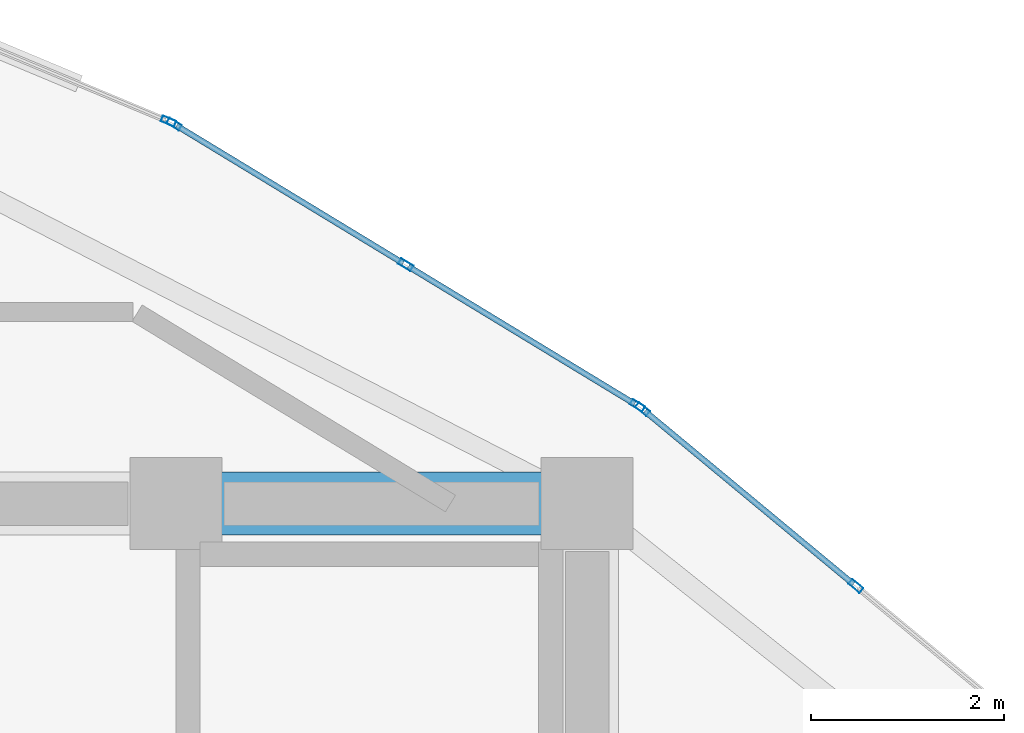
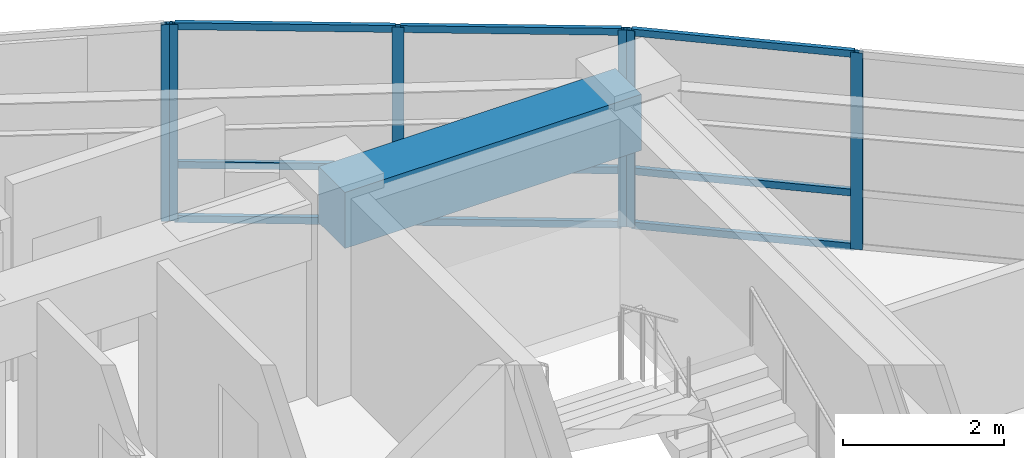
# One storey, part 10 of 14: 15 members, 1 beam, 3 elements without a shape of their own.
"""IFC4 building model written with IfcOpenShell, lengths in metres."""

from ifc_helpers import new_model, si_unit, direction, frame, origin, origin_2d, place, context, subcontext, project, spatial, rectangle, hollow_rectangle, extrude, material, layer, layer_set, material_profile, profile_set, type_object, element, aggregate, save


model = new_model("IFC4")

# Units and contexts
model_context = context("Model", 3, precision=1e-05, world=origin(), true_north=direction((0.0, 1.0)))
body_context = subcontext(model_context, "Body", "Model", "MODEL_VIEW")
ifc_project = project(units=[si_unit("LENGTHUNIT", "METRE"), si_unit("AREAUNIT", "SQUARE_METRE"), si_unit("VOLUMEUNIT", "CUBIC_METRE"), si_unit("PLANEANGLEUNIT", "RADIAN"), si_unit("MASSUNIT", "GRAM", prefix="KILO")], contexts=[model_context])

# Site, building, storey
site_placement = place(None, origin())
site = spatial("IfcSite", under=ifc_project, at=site_placement, CompositionType="ELEMENT")
building_placement = place(site_placement, origin())
building = spatial("IfcBuilding", under=site, at=building_placement, Name="Menara Vayukalpa", CompositionType="ELEMENT")
storey_placement = place(building_placement, frame((0.0, 0.0, 305.6201171875)))
storey = spatial("IfcBuildingStorey", under=building, at=storey_placement, Name="L78", CompositionType="ELEMENT", Elevation=305.6201171875)

# Beam
ifc_material_1 = material(Name="Concrete C60/75", Category="concrete")
ifc_material_profile_1 = material_profile(ifc_material_1, rectangle(XDim=0.64990234375, YDim=0.85009765625, at=origin_2d()), Name="RC 650x850")
ifc_profile_set_1 = profile_set([ifc_material_profile_1], Name="Concrete C60/75")
beam_type = type_object("IfcBeamType", Name="BM-CB1", PredefinedType="BEAM", material=ifc_profile_set_1)
beam_placement = place(storey_placement, frame((29.14990234375, 26.800048828125, 2.554931640625), z_axis=(1.0, 0.0, 0.0), x_axis=(0.0, 1.0, 0.0)))
element("IfcBeam", 1, at=beam_placement, inside=storey, type_object=beam_type, Name="L78 Core Tie Beam CBR6", PredefinedType="BEAM", context=body_context, shape_type="SweptSolid", body=[
    extrude(rectangle(XDim=0.64990234375, YDim=0.85009765625, at=origin_2d()), origin(), (0.0, 0.0, 1.0), 4.25),
])

# Curtain wall, members
ifc_material_2 = material(Name="Anodised Terracotta Aluminium Alloy 6063-T6", Category="masonry")
ifc_layer = layer(ifc_material_2, 0.14990234375)
ifc_layer_set = layer_set([ifc_layer], Name="Anodised Terracotta Aluminium Alloy 6063-T6")
curtain_wall_type = type_object("IfcCurtainWallType", Name="CW-CW7", PredefinedType="USERDEFINED", material=ifc_layer_set)
curtain_wall_1_placement = place(storey_placement, origin())
curtain_wall_1 = element("IfcCurtainWall", 2, at=curtain_wall_1_placement, inside=storey, type_object=curtain_wall_type, Name="L78 Crown Drum Screened Curtain Wall CW7 03", ObjectType="UNITISED", PredefinedType="USERDEFINED")
ifc_material_3 = material(Name="Anodised Terracotta Aluminium Alloy 6063-T6", Category="masonry")
ifc_material_profile_2 = material_profile(ifc_material_3, hollow_rectangle(XDim=0.06494140625, YDim=0.14990234375, WallThickness=0.00341796875, at=origin_2d()), Name="ALU 65x150x3.5")
ifc_profile_set_2 = profile_set([ifc_material_profile_2], Name="Anodised Terracotta Aluminium Alloy 6063-T6")
member_type_1 = type_object("IfcMemberType", Name="CWM-CW7", PredefinedType="MULLION", material=ifc_profile_set_2)
member_1_placement = place(storey_placement, frame((36.1796875, 25.946533203125, 0.0), z_axis=(0.0, 0.0, 1.0), x_axis=(-0.63834658997, -0.7697490702, 0.0)))
member_1 = element("IfcMember", 3, at=member_1_placement, type_object=member_type_1, Name="CW7 mullion 2", PredefinedType="MULLION", context=body_context, shape_type="SweptSolid", body=[
    extrude(hollow_rectangle(XDim=0.06494140625, YDim=0.14990234375, WallThickness=0.00341796875, at=origin_2d()), origin(), (0.0, 0.0, 1.0), 2.97998046875),
])
member_2_placement = place(storey_placement, frame((33.9736328125, 27.776123046875, 0.0), z_axis=(0.0, 0.0, 1.0), x_axis=(-0.63834658997, -0.7697490702, 0.0)))
member_2 = element("IfcMember", 4, at=member_2_placement, type_object=member_type_1, Name="CW7 mullion 3", PredefinedType="MULLION", context=body_context, shape_type="SweptSolid", body=[
    extrude(hollow_rectangle(XDim=0.06494140625, YDim=0.14990234375, WallThickness=0.00341796875, at=origin_2d()), origin(), (0.0, 0.0, 1.0), 2.97998046875),
])

curtain_wall_2_placement = place(storey_placement, origin())
curtain_wall_2 = element("IfcCurtainWall", 5, at=curtain_wall_2_placement, inside=storey, type_object=curtain_wall_type, Name="L78 Crown Drum Screened Curtain Wall CW7 04", ObjectType="UNITISED", PredefinedType="USERDEFINED")
member_3_placement = place(storey_placement, frame((33.9208984375, 27.813720703125, 0.0), z_axis=(0.0, 0.0, 1.0), x_axis=(-0.519176441176, -0.854667083096, 0.0)))
member_3 = element("IfcMember", 6, at=member_3_placement, type_object=member_type_1, Name="CW7 mullion 1", PredefinedType="MULLION", context=body_context, shape_type="SweptSolid", body=[
    extrude(hollow_rectangle(XDim=0.06494140625, YDim=0.14990234375, WallThickness=0.00341796875, at=origin_2d()), origin(), (0.0, 0.0, 1.0), 2.97998046875),
])
member_4_placement = place(storey_placement, frame((31.525146484375, 29.26904296875, 0.0), z_axis=(0.0, 0.0, 1.0), x_axis=(-0.519176441176, -0.854667083096, 0.0)))
member_4 = element("IfcMember", 7, at=member_4_placement, type_object=member_type_1, Name="CW7 mullion 2", PredefinedType="MULLION", context=body_context, shape_type="SweptSolid", body=[
    extrude(hollow_rectangle(XDim=0.06494140625, YDim=0.14990234375, WallThickness=0.00341796875, at=origin_2d()), origin(), (0.0, 0.0, 1.0), 2.97998046875),
])
member_5_placement = place(storey_placement, frame((29.129638671875, 30.72412109375, 0.0), z_axis=(0.0, 0.0, 1.0), x_axis=(-0.519176441176, -0.854667083096, 0.0)))
member_5 = element("IfcMember", 8, at=member_5_placement, type_object=member_type_1, Name="CW7 mullion 3", PredefinedType="MULLION", context=body_context, shape_type="SweptSolid", body=[
    extrude(hollow_rectangle(XDim=0.06494140625, YDim=0.14990234375, WallThickness=0.00341796875, at=origin_2d()), origin(), (0.0, 0.0, 1.0), 2.97998046875),
])

# Curtain wall, member
curtain_wall_3_placement = place(storey_placement, origin())
curtain_wall_3 = element("IfcCurtainWall", 9, at=curtain_wall_3_placement, inside=storey, type_object=curtain_wall_type, Name="L78 Crown Drum Screened Curtain Wall CW7 05", ObjectType="UNITISED", PredefinedType="USERDEFINED")
member_6_placement = place(storey_placement, frame((29.07177734375, 30.753662109375, 0.0), z_axis=(0.0, 0.0, 1.0), x_axis=(-0.385898361946, -0.922541302191, 0.0)))
member_6 = element("IfcMember", 10, at=member_6_placement, type_object=member_type_1, Name="CW7 mullion 1", PredefinedType="MULLION", context=body_context, shape_type="SweptSolid", body=[
    extrude(hollow_rectangle(XDim=0.06494140625, YDim=0.14990234375, WallThickness=0.00341796875, at=origin_2d()), origin(), (0.0, 0.0, 1.0), 2.97998046875),
])
aggregate(curtain_wall_3, [member_6])

# Member
ifc_material_4 = material(Name="Anodised Terracotta Aluminium Alloy 6063-T6", Category="masonry")
ifc_material_profile_3 = material_profile(ifc_material_4, hollow_rectangle(XDim=0.06005859375, YDim=0.10498046875, WallThickness=0.0029296875, at=origin_2d()), Name="ALU 60x105x3")
ifc_profile_set_3 = profile_set([ifc_material_profile_3], Name="Anodised Terracotta Aluminium Alloy 6063-T6")
member_type_2 = type_object("IfcMemberType", Name="CWT-CW7", PredefinedType="USERDEFINED", material=ifc_profile_set_3)
member_7_placement = place(storey_placement, frame((36.15478515625, 25.96728515625, 0.02978515625), z_axis=(-0.769726621741, 0.638373658434, 0.0), x_axis=(-0.638373658434, -0.769726621741, 0.0)))
member_7 = element("IfcMember", 11, at=member_7_placement, type_object=member_type_2, Name="CW7 transom 2.1", ObjectType="TRANSOM", PredefinedType="USERDEFINED", context=body_context, shape_type="SweptSolid", body=[
    extrude(hollow_rectangle(XDim=0.06005859375, YDim=0.10498046875, WallThickness=0.0029296875, at=origin_2d()), origin(), (0.0, 0.0, 1.0), 2.801025390625),
])

member_8_placement = place(storey_placement, frame((36.15478515625, 25.96728515625, 0.849853515625), z_axis=(-0.769726621741, 0.638373658434, 0.0), x_axis=(-0.638373658434, -0.769726621741, 0.0)))
member_8 = element("IfcMember", 12, at=member_8_placement, type_object=member_type_2, Name="CW7 transom 2.2", ObjectType="TRANSOM", PredefinedType="USERDEFINED", context=body_context, shape_type="SweptSolid", body=[
    extrude(hollow_rectangle(XDim=0.06005859375, YDim=0.10498046875, WallThickness=0.0029296875, at=origin_2d()), origin(), (0.0, 0.0, 1.0), 2.801025390625),
])

member_9_placement = place(storey_placement, frame((36.15478515625, 25.96728515625, 2.949951171875), z_axis=(-0.769726621741, 0.638373658434, 0.0), x_axis=(-0.638373658434, -0.769726621741, 0.0)))
member_9 = element("IfcMember", 13, at=member_9_placement, type_object=member_type_2, Name="CW7 transom 2.3", ObjectType="TRANSOM", PredefinedType="USERDEFINED", context=body_context, shape_type="SweptSolid", body=[
    extrude(hollow_rectangle(XDim=0.06005859375, YDim=0.10498046875, WallThickness=0.0029296875, at=origin_2d()), origin(), (0.0, 0.0, 1.0), 2.801025390625),
])

aggregate(curtain_wall_1, [member_1, member_2, member_7, member_8, member_9])

member_10_placement = place(storey_placement, frame((33.89306640625, 27.83056640625, 0.02978515625), z_axis=(-0.854647628743, 0.519208465537, 0.0), x_axis=(-0.519208465537, -0.854647628743, 0.0)))
member_10 = element("IfcMember", 14, at=member_10_placement, type_object=member_type_2, Name="CW7 transom 1.1", ObjectType="TRANSOM", PredefinedType="USERDEFINED", context=body_context, shape_type="SweptSolid", body=[
    extrude(hollow_rectangle(XDim=0.06005859375, YDim=0.10498046875, WallThickness=0.0029296875, at=origin_2d()), origin(), (0.0, 0.0, 1.0), 2.738037109375),
])

member_11_placement = place(storey_placement, frame((33.89306640625, 27.83056640625, 0.849853515625), z_axis=(-0.854647628743, 0.519208465537, 0.0), x_axis=(-0.519208465537, -0.854647628743, 0.0)))
member_11 = element("IfcMember", 15, at=member_11_placement, type_object=member_type_2, Name="CW7 transom 1.2", ObjectType="TRANSOM", PredefinedType="USERDEFINED", context=body_context, shape_type="SweptSolid", body=[
    extrude(hollow_rectangle(XDim=0.06005859375, YDim=0.10498046875, WallThickness=0.0029296875, at=origin_2d()), origin(), (0.0, 0.0, 1.0), 2.738037109375),
])

member_12_placement = place(storey_placement, frame((33.89306640625, 27.83056640625, 2.949951171875), z_axis=(-0.854647628743, 0.519208465537, 0.0), x_axis=(-0.519208465537, -0.854647628743, 0.0)))
member_12 = element("IfcMember", 16, at=member_12_placement, type_object=member_type_2, Name="CW7 transom 1.3", ObjectType="TRANSOM", PredefinedType="USERDEFINED", context=body_context, shape_type="SweptSolid", body=[
    extrude(hollow_rectangle(XDim=0.06005859375, YDim=0.10498046875, WallThickness=0.0029296875, at=origin_2d()), origin(), (0.0, 0.0, 1.0), 2.738037109375),
])

member_13_placement = place(storey_placement, frame((31.49755859375, 29.285888671875, 0.02978515625), z_axis=(-0.854687194246, 0.519143332801, 0.0), x_axis=(-0.519143332801, -0.854687194246, 0.0)))
member_13 = element("IfcMember", 17, at=member_13_placement, type_object=member_type_2, Name="CW7 transom 2.1", ObjectType="TRANSOM", PredefinedType="USERDEFINED", context=body_context, shape_type="SweptSolid", body=[
    extrude(hollow_rectangle(XDim=0.06005859375, YDim=0.10498046875, WallThickness=0.0029296875, at=origin_2d()), origin(), (0.0, 0.0, 1.0), 2.738037109375),
])

member_14_placement = place(storey_placement, frame((31.49755859375, 29.285888671875, 0.849853515625), z_axis=(-0.854687194246, 0.519143332801, 0.0), x_axis=(-0.519143332801, -0.854687194246, 0.0)))
member_14 = element("IfcMember", 18, at=member_14_placement, type_object=member_type_2, Name="CW7 transom 2.2", ObjectType="TRANSOM", PredefinedType="USERDEFINED", context=body_context, shape_type="SweptSolid", body=[
    extrude(hollow_rectangle(XDim=0.06005859375, YDim=0.10498046875, WallThickness=0.0029296875, at=origin_2d()), origin(), (0.0, 0.0, 1.0), 2.738037109375),
])

member_15_placement = place(storey_placement, frame((31.49755859375, 29.285888671875, 2.949951171875), z_axis=(-0.854687194246, 0.519143332801, 0.0), x_axis=(-0.519143332801, -0.854687194246, 0.0)))
member_15 = element("IfcMember", 19, at=member_15_placement, type_object=member_type_2, Name="CW7 transom 2.3", ObjectType="TRANSOM", PredefinedType="USERDEFINED", context=body_context, shape_type="SweptSolid", body=[
    extrude(hollow_rectangle(XDim=0.06005859375, YDim=0.10498046875, WallThickness=0.0029296875, at=origin_2d()), origin(), (0.0, 0.0, 1.0), 2.738037109375),
])

aggregate(curtain_wall_2, [member_3, member_4, member_5, member_10, member_11, member_12, member_13, member_14, member_15])

save(model, "model.ifc")
